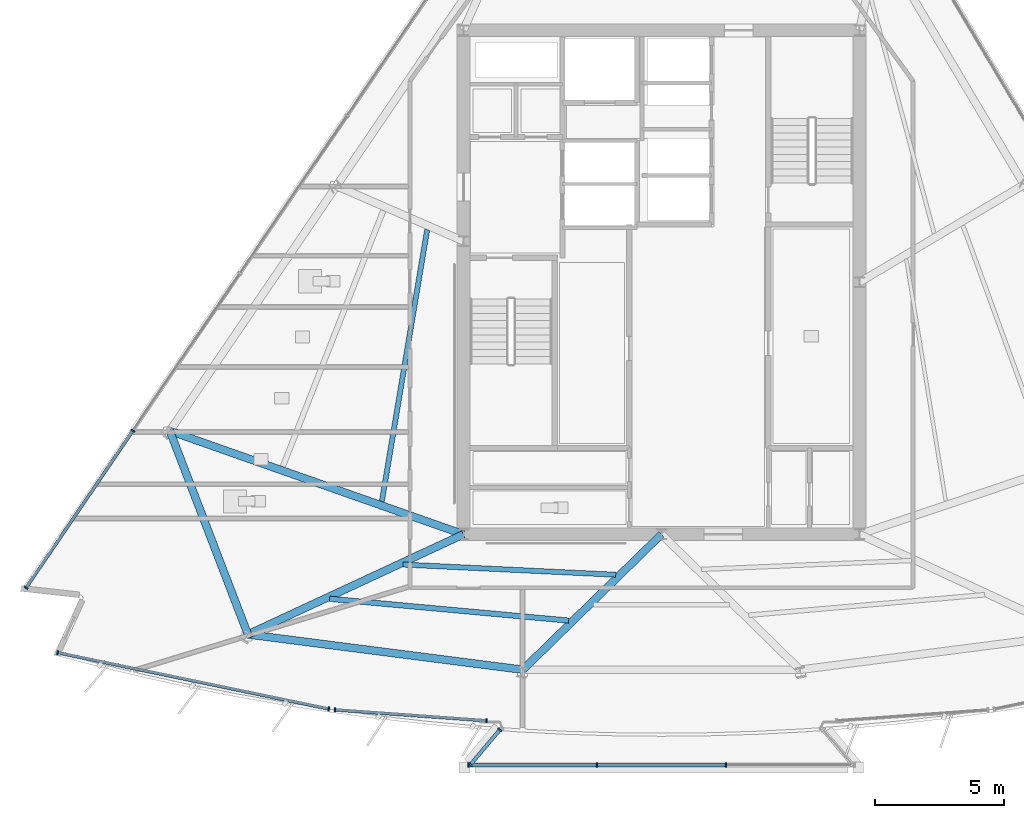
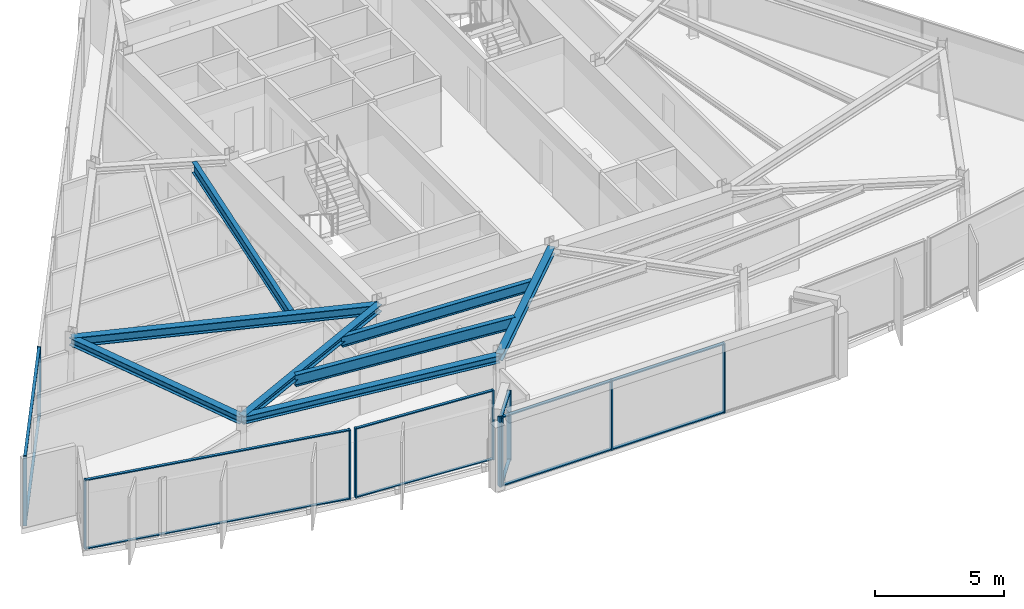
# One storey, part 2 of 14: 23 members, 8 beams, 5 elements without a shape of their own.
"""IFC4 building model written with IfcOpenShell, lengths in metres."""

from ifc_helpers import new_model, si_unit, direction, frame, origin, origin_2d, place, context, subcontext, project, spatial, rectangle, i_section, extrude, material, material_profile, profile_set, type_object, element, aggregate, save


model = new_model("IFC4")

# Units and contexts
model_context = context("Model", 3, precision=1e-05, world=origin(), true_north=direction((0.0, 1.0)))
body_context = subcontext(model_context, "Body", "Model", "MODEL_VIEW")
ifc_project = project(units=[si_unit("LENGTHUNIT", "METRE"), si_unit("AREAUNIT", "SQUARE_METRE"), si_unit("VOLUMEUNIT", "CUBIC_METRE"), si_unit("PLANEANGLEUNIT", "RADIAN"), si_unit("MASSUNIT", "GRAM", prefix="KILO")], contexts=[model_context])

# Site, building, storey
site_placement = place(None, origin())
site = spatial("IfcSite", under=ifc_project, at=site_placement, CompositionType="ELEMENT")
building_placement = place(site_placement, origin())
building = spatial("IfcBuilding", under=site, at=building_placement, Name="Savorim Split Tower", CompositionType="ELEMENT")
storey_placement = place(building_placement, frame((0.0, 0.0, 237.89990234375)))
storey = spatial("IfcBuildingStorey", under=building, at=storey_placement, Name="L63", CompositionType="ELEMENT", Elevation=237.89990234375)

# Beams
ifc_material_1 = material(Name="Steel S355", Category="steel")
ifc_material_profile_1 = material_profile(ifc_material_1, i_section(OverallWidth=0.199951171875, OverallDepth=0.5, WebThickness=0.01025390625, FlangeThickness=0.01611328125, FilletRadius=0.02099609375, at=origin_2d()), Name="IPE 500")
ifc_profile_set_1 = profile_set([ifc_material_profile_1], Name="Steel S355")
beam_type_1 = type_object("IfcBeamType", Name="BM-JST-IPE500", PredefinedType="JOIST", material=ifc_profile_set_1)
beam_1_placement = place(storey_placement, frame((-10.053466796875, -10.575439453125, 3.030029296875), z_axis=(0.99885470016, -0.047846504234, 0.0), x_axis=(0.047846504234, 0.99885470016, 0.0)))
element("IfcBeam", 1, at=beam_1_placement, inside=storey, type_object=beam_type_1, Name="L63 Secondary Floor Joist JS-02", PredefinedType="JOIST", context=body_context, shape_type="SweptSolid", body=[
    extrude(i_section(OverallWidth=0.199951171875, OverallDepth=0.5, WebThickness=0.01025390625, FlangeThickness=0.01611328125, FilletRadius=0.02099609375, at=origin_2d()), origin(), (0.0, 0.0, 1.0), 8.28662109375),
])
beam_2_placement = place(storey_placement, frame((-9.10791015625, 2.44287109375, 3.030029296875), z_axis=(-0.164565404406, -0.98636617322, 0.0), x_axis=(0.98636617322, -0.164565404406, 0.0)))
element("IfcBeam", 2, at=beam_2_placement, inside=storey, type_object=beam_type_1, Name="L63 Secondary Floor Joist JS-11", PredefinedType="JOIST", context=body_context, shape_type="SweptSolid", body=[
    extrude(i_section(OverallWidth=0.199951171875, OverallDepth=0.5, WebThickness=0.01025390625, FlangeThickness=0.01611328125, FilletRadius=0.02099609375, at=origin_2d()), origin(), (0.0, 0.0, 1.0), 10.705322265625),
])
ifc_material_profile_2 = material_profile(ifc_material_1, i_section(OverallWidth=0.2099609375, OverallDepth=0.550048828125, WebThickness=0.010986328125, FlangeThickness=0.01708984375, FilletRadius=0.02392578125, at=origin_2d()), Name="IPE 550")
ifc_profile_set_2 = profile_set([ifc_material_profile_2], Name="Steel S355")
beam_type_2 = type_object("IfcBeamType", Name="BM-JST-IPE550", PredefinedType="JOIST", material=ifc_profile_set_2)
beam_3_placement = place(storey_placement, frame((-12.902587890625, -11.906005859375, 3.005126953125), z_axis=(0.995853014501, -0.090976774564, 0.0), x_axis=(0.090976774564, 0.995853014501, 0.0)))
element("IfcBeam", 3, at=beam_3_placement, inside=storey, type_object=beam_type_2, Name="L63 Secondary Floor Joist JS-01", PredefinedType="JOIST", context=body_context, shape_type="SweptSolid", body=[
    extrude(i_section(OverallWidth=0.2099609375, OverallDepth=0.550048828125, WebThickness=0.010986328125, FlangeThickness=0.01708984375, FilletRadius=0.02392578125, at=origin_2d()), origin(), (0.0, 0.0, 1.0), 9.33349609375),
])
ifc_material_profile_3 = material_profile(ifc_material_1, i_section(OverallWidth=0.300048828125, OverallDepth=0.320068359375, WebThickness=0.011474609375, FlangeThickness=0.0205078125, FilletRadius=0.027099609375, at=origin_2d()), Name="HEB 320")
ifc_profile_set_3 = profile_set([ifc_material_profile_3], Name="Steel S355")
beam_type_3 = type_object("IfcBeamType", Name="BM-PRI-HEB320", PredefinedType="BEAM", material=ifc_profile_set_3)
beam_4_placement = place(storey_placement, frame((-16.077880859375, -13.292724609375, 3.1201171875), z_axis=(0.906882030767, 0.421384601369, 0.0), x_axis=(-0.421384601369, 0.906882030767, 0.0)))
element("IfcBeam", 4, at=beam_4_placement, inside=storey, type_object=beam_type_3, Name="L63 Primary Floor Girder RG-01", PredefinedType="BEAM", context=body_context, shape_type="SweptSolid", body=[
    extrude(i_section(OverallWidth=0.300048828125, OverallDepth=0.320068359375, WebThickness=0.011474609375, FlangeThickness=0.0205078125, FilletRadius=0.027099609375, at=origin_2d()), origin(), (0.0, 0.0, 1.0), 9.23828125),
])
beam_5_placement = place(storey_placement, frame((-5.388427734375, -14.665283203125, 3.1201171875), z_axis=(0.715225856965, 0.698893392106, 0.0), x_axis=(-0.698893392106, 0.715225856965, 0.0)))
element("IfcBeam", 5, at=beam_5_placement, inside=storey, type_object=beam_type_3, Name="L63 Primary Floor Girder RG-02", PredefinedType="BEAM", context=body_context, shape_type="SweptSolid", body=[
    extrude(i_section(OverallWidth=0.300048828125, OverallDepth=0.320068359375, WebThickness=0.011474609375, FlangeThickness=0.0205078125, FilletRadius=0.027099609375, at=origin_2d()), origin(), (0.0, 0.0, 1.0), 7.533935546875),
])
ifc_material_profile_4 = material_profile(ifc_material_1, i_section(OverallWidth=0.300048828125, OverallDepth=0.449951171875, WebThickness=0.013916015625, FlangeThickness=0.02587890625, FilletRadius=0.027099609375, at=origin_2d()), Name="HEB 450")
ifc_profile_set_4 = profile_set([ifc_material_profile_4], Name="Steel S355")
beam_type_4 = type_object("IfcBeamType", Name="BM-PRI-HEB450", PredefinedType="BEAM", material=ifc_profile_set_4)
beam_6_placement = place(storey_placement, frame((-19.114013671875, -5.379638671875, 3.05517578125), z_axis=(0.94320355609, -0.33221536957, 0.0), x_axis=(0.33221536957, 0.94320355609, 0.0)))
element("IfcBeam", 6, at=beam_6_placement, inside=storey, type_object=beam_type_4, Name="L63 Primary Floor Girder RG-10", PredefinedType="BEAM", context=body_context, shape_type="SweptSolid", body=[
    extrude(i_section(OverallWidth=0.300048828125, OverallDepth=0.449951171875, WebThickness=0.013916015625, FlangeThickness=0.02587890625, FilletRadius=0.027099609375, at=origin_2d()), origin(), (0.0, 0.0, 1.0), 12.101318359375),
])
ifc_material_profile_5 = material_profile(ifc_material_1, i_section(OverallWidth=0.300048828125, OverallDepth=0.35009765625, WebThickness=0.010009765625, FlangeThickness=0.017578125, FilletRadius=0.027099609375, at=origin_2d()), Name="HEA 360")
ifc_profile_set_5 = profile_set([ifc_material_profile_5], Name="Steel S355")
beam_type_5 = type_object("IfcBeamType", Name="BM-SPN-HEA360", PredefinedType="SPANDREL", material=ifc_profile_set_5)
beam_7_placement = place(storey_placement, frame((-16.077880859375, -13.292724609375, 3.10498046875), z_axis=(0.991856882449, -0.127357468325, 0.0), x_axis=(0.127357468325, 0.991856882449, 0.0)))
element("IfcBeam", 7, at=beam_7_placement, inside=storey, type_object=beam_type_5, Name="L63 Perimeter Spandrel Beam 1", PredefinedType="SPANDREL", context=body_context, shape_type="SweptSolid", body=[
    extrude(i_section(OverallWidth=0.300048828125, OverallDepth=0.35009765625, WebThickness=0.010009765625, FlangeThickness=0.017578125, FilletRadius=0.027099609375, at=origin_2d()), origin(), (0.0, 0.0, 1.0), 10.777099609375),
])
beam_8_placement = place(storey_placement, frame((-19.114013671875, -5.379638671875, 3.10498046875), z_axis=(0.358222303396, -0.933636321781, 0.0), x_axis=(0.933636321781, 0.358222303396, 0.0)))
element("IfcBeam", 8, at=beam_8_placement, inside=storey, type_object=beam_type_5, Name="L63 Perimeter Spandrel Beam 10", PredefinedType="SPANDREL", context=body_context, shape_type="SweptSolid", body=[
    extrude(i_section(OverallWidth=0.300048828125, OverallDepth=0.35009765625, WebThickness=0.010009765625, FlangeThickness=0.017578125, FilletRadius=0.027099609375, at=origin_2d()), origin(), (0.0, 0.0, 1.0), 8.4755859375),
])

# Curtain wall, members
ifc_material_2 = material(Name="Dark Ceramic-Fritted Insulated Glass", Category="glass")
curtain_wall_type_1 = type_object("IfcCurtainWallType", Name="CW-TWR-FRIT-B", PredefinedType="NOTDEFINED", material=ifc_material_2)
curtain_wall_1_placement = place(storey_placement, origin())
curtain_wall_1 = element("IfcCurtainWall", 9, at=curtain_wall_1_placement, inside=storey, type_object=curtain_wall_type_1, Name="L63 Curtain Wall CW-L63-SF1A", PredefinedType="NOTDEFINED")
ifc_material_3 = material(Name="Charcoal Anodised Aluminium", Category="aluminium")
ifc_material_profile_6 = material_profile(ifc_material_3, rectangle(XDim=0.159912109375, YDim=0.06005859375, at=origin_2d()), Name="ALU-M 160x60")
ifc_profile_set_6 = profile_set([ifc_material_profile_6], Name="Charcoal Anodised Aluminium")
member_type_1 = type_object("IfcMemberType", Name="CWM-160x60", PredefinedType="MULLION", material=ifc_profile_set_6)
member_1_placement = place(storey_placement, frame((-23.47705078125, -14.0, 0.0), z_axis=(0.0, 0.0, 1.0), x_axis=(0.203214786352, 0.979134184169, 0.0)))
member_1 = element("IfcMember", 10, at=member_1_placement, type_object=member_type_1, Name="CW-03 mullion 1", PredefinedType="MULLION", context=body_context, shape_type="SweptSolid", body=[
    extrude(rectangle(XDim=0.159912109375, YDim=0.06005859375, at=origin_2d()), origin(), (0.0, 0.0, 1.0), 3.280029296875),
])
member_2_placement = place(storey_placement, frame((-12.933349609375, -16.1884765625, 0.0), z_axis=(0.0, 0.0, 1.0), x_axis=(0.203214786352, 0.979134184169, 0.0)))
member_2 = element("IfcMember", 11, at=member_2_placement, type_object=member_type_1, Name="CW-03 mullion 2", PredefinedType="MULLION", context=body_context, shape_type="SweptSolid", body=[
    extrude(rectangle(XDim=0.159912109375, YDim=0.06005859375, at=origin_2d()), origin(), (0.0, 0.0, 1.0), 3.280029296875),
])

curtain_wall_2_placement = place(storey_placement, origin())
curtain_wall_2 = element("IfcCurtainWall", 12, at=curtain_wall_2_placement, inside=storey, type_object=curtain_wall_type_1, Name="L63 Curtain Wall CW-L63-SF2A", PredefinedType="NOTDEFINED")
member_3_placement = place(storey_placement, frame((-12.6923828125, -16.221923828125, 0.0), z_axis=(0.0, 0.0, 1.0), x_axis=(0.071557956097, 0.997436443549, 0.0)))
member_3 = element("IfcMember", 13, at=member_3_placement, type_object=member_type_1, Name="CW-03 mullion 1", PredefinedType="MULLION", context=body_context, shape_type="SweptSolid", body=[
    extrude(rectangle(XDim=0.159912109375, YDim=0.06005859375, at=origin_2d()), origin(), (0.0, 0.0, 1.0), 3.280029296875),
])
member_4_placement = place(storey_placement, frame((-6.801513671875, -16.64453125, 0.0), z_axis=(0.0, 0.0, 1.0), x_axis=(0.071557956097, 0.997436443549, 0.0)))
member_4 = element("IfcMember", 14, at=member_4_placement, type_object=member_type_1, Name="CW-03 mullion 2", PredefinedType="MULLION", context=body_context, shape_type="SweptSolid", body=[
    extrude(rectangle(XDim=0.159912109375, YDim=0.06005859375, at=origin_2d()), origin(), (0.0, 0.0, 1.0), 3.280029296875),
])

curtain_wall_3_placement = place(storey_placement, origin())
curtain_wall_3 = element("IfcCurtainWall", 15, at=curtain_wall_3_placement, inside=storey, type_object=curtain_wall_type_1, Name="L63 Curtain Wall CW-L63-WEST", PredefinedType="NOTDEFINED")
member_5_placement = place(storey_placement, frame((-20.5498046875, -5.375732421875, 0.0), z_axis=(0.0, 0.0, 1.0), x_axis=(0.826820024782, -0.562466573779, 0.0)))
member_5 = element("IfcMember", 16, at=member_5_placement, type_object=member_type_1, Name="CW-03 mullion 4", PredefinedType="MULLION", context=body_context, shape_type="SweptSolid", body=[
    extrude(rectangle(XDim=0.159912109375, YDim=0.06005859375, at=origin_2d()), origin(), (0.0, 0.0, 1.0), 3.280029296875),
])
member_6_placement = place(storey_placement, frame((-24.699462890625, -11.4755859375, 0.0), z_axis=(0.0, 0.0, 1.0), x_axis=(0.826820024782, -0.562466573779, 0.0)))
member_6 = element("IfcMember", 17, at=member_6_placement, type_object=member_type_1, Name="CW-03 mullion 5", PredefinedType="MULLION", context=body_context, shape_type="SweptSolid", body=[
    extrude(rectangle(XDim=0.159912109375, YDim=0.06005859375, at=origin_2d()), origin(), (0.0, 0.0, 1.0), 3.280029296875),
])

curtain_wall_type_2 = type_object("IfcCurtainWallType", Name="CW-BAY-LOUNGE", PredefinedType="NOTDEFINED", material=ifc_material_2)
curtain_wall_4_placement = place(storey_placement, origin())
curtain_wall_4 = element("IfcCurtainWall", 18, at=curtain_wall_4_placement, inside=storey, type_object=curtain_wall_type_2, Name="L63 Curtain Wall CW-L63-BAYF", PredefinedType="NOTDEFINED")
ifc_material_profile_7 = material_profile(ifc_material_3, rectangle(XDim=0.179931640625, YDim=0.06494140625, at=origin_2d()), Name="ALU-M 180x65")
ifc_profile_set_7 = profile_set([ifc_material_profile_7], Name="Charcoal Anodised Aluminium")
member_type_2 = type_object("IfcMemberType", Name="CWM-180x65", PredefinedType="MULLION", material=ifc_profile_set_7)
member_7_placement = place(storey_placement, frame((-7.501708984375, -18.36767578125, 0.0), z_axis=(0.0, 0.0, 1.0), x_axis=(0.0, 1.0, 0.0)))
member_7 = element("IfcMember", 19, at=member_7_placement, type_object=member_type_2, Name="CW-04 mullion 1", PredefinedType="MULLION", context=body_context, shape_type="SweptSolid", body=[
    extrude(rectangle(XDim=0.179931640625, YDim=0.06494140625, at=origin_2d()), origin(), (0.0, 0.0, 1.0), 3.280029296875),
])
member_8_placement = place(storey_placement, frame((-2.511474609375, -18.36767578125, 0.0), z_axis=(0.0, 0.0, 1.0), x_axis=(0.0, 1.0, 0.0)))
member_8 = element("IfcMember", 20, at=member_8_placement, type_object=member_type_2, Name="CW-04 mullion 2", PredefinedType="MULLION", context=body_context, shape_type="SweptSolid", body=[
    extrude(rectangle(XDim=0.179931640625, YDim=0.06494140625, at=origin_2d()), origin(), (0.0, 0.0, 1.0), 3.280029296875),
])
member_9_placement = place(storey_placement, frame((2.511474609375, -18.36767578125, 0.0), z_axis=(0.0, 0.0, 1.0), x_axis=(0.0, 1.0, 0.0)))
member_9 = element("IfcMember", 21, at=member_9_placement, type_object=member_type_2, Name="CW-04 mullion 3", PredefinedType="MULLION", context=body_context, shape_type="SweptSolid", body=[
    extrude(rectangle(XDim=0.179931640625, YDim=0.06494140625, at=origin_2d()), origin(), (0.0, 0.0, 1.0), 3.280029296875),
])

curtain_wall_5_placement = place(storey_placement, origin())
curtain_wall_5 = element("IfcCurtainWall", 22, at=curtain_wall_5_placement, inside=storey, type_object=curtain_wall_type_2, Name="L63 Curtain Wall CW-L63-BAYW", PredefinedType="NOTDEFINED")
member_10_placement = place(storey_placement, frame((-6.28271484375, -16.998046875, 0.0), z_axis=(0.0, 0.0, 1.0), x_axis=(0.764177330189, -0.645006207741, 0.0)))
member_10 = element("IfcMember", 23, at=member_10_placement, type_object=member_type_2, Name="CW-04 mullion 1", PredefinedType="MULLION", context=body_context, shape_type="SweptSolid", body=[
    extrude(rectangle(XDim=0.179931640625, YDim=0.06494140625, at=origin_2d()), origin(), (0.0, 0.0, 1.0), 3.280029296875),
])
member_11_placement = place(storey_placement, frame((-7.424560546875, -18.3505859375, 0.0), z_axis=(0.0, 0.0, 1.0), x_axis=(0.764177330189, -0.645006207741, 0.0)))
member_11 = element("IfcMember", 24, at=member_11_placement, type_object=member_type_2, Name="CW-04 mullion 2", PredefinedType="MULLION", context=body_context, shape_type="SweptSolid", body=[
    extrude(rectangle(XDim=0.179931640625, YDim=0.06494140625, at=origin_2d()), origin(), (0.0, 0.0, 1.0), 3.280029296875),
])

# Member
ifc_material_profile_8 = material_profile(ifc_material_3, rectangle(XDim=0.1201171875, YDim=0.050048828125, at=origin_2d()), Name="ALU-T 120x50")
ifc_profile_set_8 = profile_set([ifc_material_profile_8], Name="Charcoal Anodised Aluminium")
member_type_3 = type_object("IfcMemberType", Name="CWT-120x50", PredefinedType="USERDEFINED", material=ifc_profile_set_8)
member_12_placement = place(storey_placement, frame((-23.44775390625, -14.006103515625, 0.025146484375), z_axis=(0.979131697612, -0.203226766771, 0.0), x_axis=(0.203226766771, 0.979131697612, 0.0)))
member_12 = element("IfcMember", 25, at=member_12_placement, type_object=member_type_3, Name="CW-03 transom 1.1", ObjectType="TRANSOM", PredefinedType="USERDEFINED", context=body_context, shape_type="SweptSolid", body=[
    extrude(rectangle(XDim=0.1201171875, YDim=0.050048828125, at=origin_2d()), origin(), (0.0, 0.0, 1.0), 10.70849609375),
])

member_13_placement = place(storey_placement, frame((-23.44775390625, -14.006103515625, 3.255126953125), z_axis=(0.979131697612, -0.203226766771, 0.0), x_axis=(0.203226766771, 0.979131697612, 0.0)))
member_13 = element("IfcMember", 26, at=member_13_placement, type_object=member_type_3, Name="CW-03 transom 1.2", ObjectType="TRANSOM", PredefinedType="USERDEFINED", context=body_context, shape_type="SweptSolid", body=[
    extrude(rectangle(XDim=0.1201171875, YDim=0.050048828125, at=origin_2d()), origin(), (0.0, 0.0, 1.0), 10.70849609375),
])

aggregate(curtain_wall_1, [member_1, member_2, member_12, member_13])

member_14_placement = place(storey_placement, frame((-12.662353515625, -16.22412109375, 0.025146484375), z_axis=(0.997437668804, -0.071540875378, 0.0), x_axis=(0.071540875378, 0.997437668804, 0.0)))
member_14 = element("IfcMember", 27, at=member_14_placement, type_object=member_type_3, Name="CW-03 transom 1.1", ObjectType="TRANSOM", PredefinedType="USERDEFINED", context=body_context, shape_type="SweptSolid", body=[
    extrude(rectangle(XDim=0.1201171875, YDim=0.050048828125, at=origin_2d()), origin(), (0.0, 0.0, 1.0), 5.845703125),
])

member_15_placement = place(storey_placement, frame((-12.662353515625, -16.22412109375, 3.255126953125), z_axis=(0.997437668804, -0.071540875378, 0.0), x_axis=(0.071540875378, 0.997437668804, 0.0)))
member_15 = element("IfcMember", 28, at=member_15_placement, type_object=member_type_3, Name="CW-03 transom 1.2", ObjectType="TRANSOM", PredefinedType="USERDEFINED", context=body_context, shape_type="SweptSolid", body=[
    extrude(rectangle(XDim=0.1201171875, YDim=0.050048828125, at=origin_2d()), origin(), (0.0, 0.0, 1.0), 5.845703125),
])

aggregate(curtain_wall_2, [member_3, member_4, member_14, member_15])

member_16_placement = place(storey_placement, frame((-20.566650390625, -5.400390625, 0.025146484375), z_axis=(-0.562475185049, -0.826814166669, 0.0), x_axis=(0.826814166669, -0.562475185049, 0.0)))
member_16 = element("IfcMember", 29, at=member_16_placement, type_object=member_type_3, Name="CW-03 transom 4.1", ObjectType="TRANSOM", PredefinedType="USERDEFINED", context=body_context, shape_type="SweptSolid", body=[
    extrude(rectangle(XDim=0.1201171875, YDim=0.050048828125, at=origin_2d()), origin(), (0.0, 0.0, 1.0), 7.317626953125),
])

member_17_placement = place(storey_placement, frame((-20.566650390625, -5.400390625, 3.255126953125), z_axis=(-0.562475185049, -0.826814166669, 0.0), x_axis=(0.826814166669, -0.562475185049, 0.0)))
member_17 = element("IfcMember", 30, at=member_17_placement, type_object=member_type_3, Name="CW-03 transom 4.2", ObjectType="TRANSOM", PredefinedType="USERDEFINED", context=body_context, shape_type="SweptSolid", body=[
    extrude(rectangle(XDim=0.1201171875, YDim=0.050048828125, at=origin_2d()), origin(), (0.0, 0.0, 1.0), 7.317626953125),
])

aggregate(curtain_wall_3, [member_5, member_6, member_16, member_17])

ifc_material_profile_9 = material_profile(ifc_material_3, rectangle(XDim=0.139892578125, YDim=0.054931640625, at=origin_2d()), Name="ALU-T 140x55")
ifc_profile_set_9 = profile_set([ifc_material_profile_9], Name="Charcoal Anodised Aluminium")
member_type_4 = type_object("IfcMemberType", Name="CWT-140x55", PredefinedType="USERDEFINED", material=ifc_profile_set_9)
member_18_placement = place(storey_placement, frame((-7.468994140625, -18.36767578125, 0.027587890625), z_axis=(1.0, 0.0, 0.0), x_axis=(0.0, 1.0, 0.0)))
member_18 = element("IfcMember", 31, at=member_18_placement, type_object=member_type_4, Name="CW-04 transom 1.1", ObjectType="TRANSOM", PredefinedType="USERDEFINED", context=body_context, shape_type="SweptSolid", body=[
    extrude(rectangle(XDim=0.139892578125, YDim=0.054931640625, at=origin_2d()), origin(), (0.0, 0.0, 1.0), 4.925048828125),
])

member_19_placement = place(storey_placement, frame((-7.468994140625, -18.36767578125, 3.252685546875), z_axis=(1.0, 0.0, 0.0), x_axis=(0.0, 1.0, 0.0)))
member_19 = element("IfcMember", 32, at=member_19_placement, type_object=member_type_4, Name="CW-04 transom 1.2", ObjectType="TRANSOM", PredefinedType="USERDEFINED", context=body_context, shape_type="SweptSolid", body=[
    extrude(rectangle(XDim=0.139892578125, YDim=0.054931640625, at=origin_2d()), origin(), (0.0, 0.0, 1.0), 4.925048828125),
])

member_20_placement = place(storey_placement, frame((-2.478759765625, -18.36767578125, 0.027587890625), z_axis=(1.0, 0.0, 0.0), x_axis=(0.0, 1.0, 0.0)))
member_20 = element("IfcMember", 33, at=member_20_placement, type_object=member_type_4, Name="CW-04 transom 2.1", ObjectType="TRANSOM", PredefinedType="USERDEFINED", context=body_context, shape_type="SweptSolid", body=[
    extrude(rectangle(XDim=0.139892578125, YDim=0.054931640625, at=origin_2d()), origin(), (0.0, 0.0, 1.0), 4.95751953125),
])

member_21_placement = place(storey_placement, frame((-2.478759765625, -18.36767578125, 3.252685546875), z_axis=(1.0, 0.0, 0.0), x_axis=(0.0, 1.0, 0.0)))
member_21 = element("IfcMember", 34, at=member_21_placement, type_object=member_type_4, Name="CW-04 transom 2.2", ObjectType="TRANSOM", PredefinedType="USERDEFINED", context=body_context, shape_type="SweptSolid", body=[
    extrude(rectangle(XDim=0.139892578125, YDim=0.054931640625, at=origin_2d()), origin(), (0.0, 0.0, 1.0), 4.95751953125),
])

aggregate(curtain_wall_4, [member_7, member_8, member_9, member_18, member_19, member_20, member_21])

member_22_placement = place(storey_placement, frame((-6.3037109375, -17.022705078125, 0.027587890625), z_axis=(-0.644959790456, -0.764216506427, 0.0), x_axis=(0.764216506427, -0.644959790456, 0.0)))
member_22 = element("IfcMember", 35, at=member_22_placement, type_object=member_type_4, Name="CW-04 transom 1.1", ObjectType="TRANSOM", PredefinedType="USERDEFINED", context=body_context, shape_type="SweptSolid", body=[
    extrude(rectangle(XDim=0.139892578125, YDim=0.054931640625, at=origin_2d()), origin(), (0.0, 0.0, 1.0), 1.705322265625),
])

member_23_placement = place(storey_placement, frame((-6.3037109375, -17.022705078125, 3.252685546875), z_axis=(-0.644959790456, -0.764216506427, 0.0), x_axis=(0.764216506427, -0.644959790456, 0.0)))
member_23 = element("IfcMember", 36, at=member_23_placement, type_object=member_type_4, Name="CW-04 transom 1.2", ObjectType="TRANSOM", PredefinedType="USERDEFINED", context=body_context, shape_type="SweptSolid", body=[
    extrude(rectangle(XDim=0.139892578125, YDim=0.054931640625, at=origin_2d()), origin(), (0.0, 0.0, 1.0), 1.705322265625),
])

aggregate(curtain_wall_5, [member_10, member_11, member_22, member_23])

save(model, "model.ifc")
